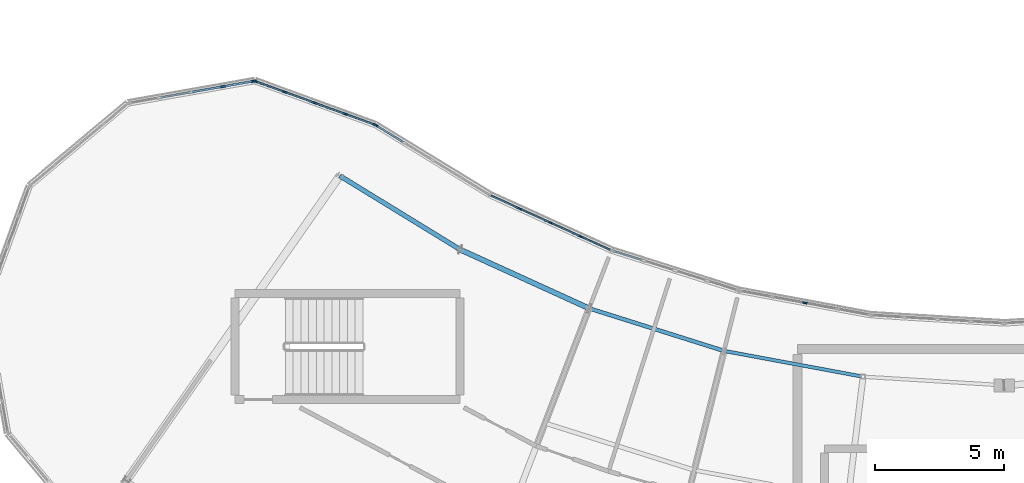
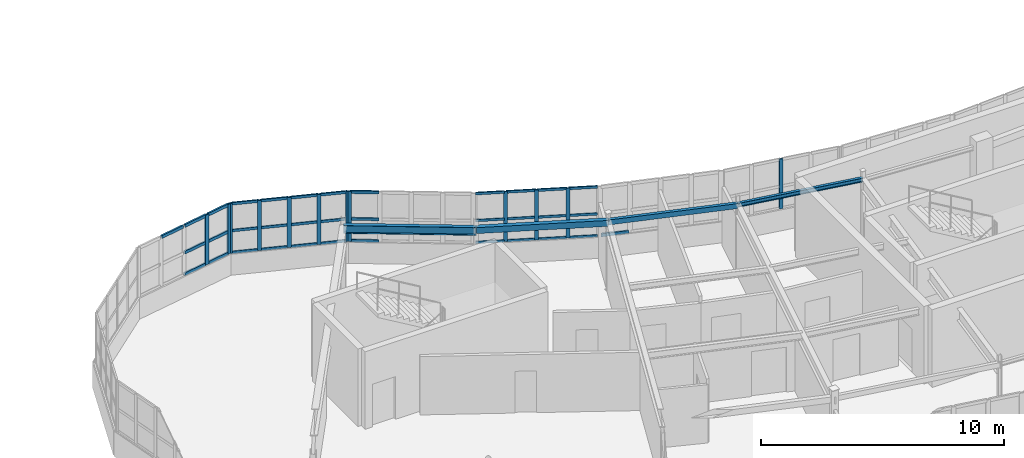
# One storey, part 17 of 65: 47 members, 4 beams, 6 elements without a shape of their own.
"""IFC4 building model written with IfcOpenShell, lengths in metres."""

from ifc_helpers import new_model, si_unit, direction, frame, origin, origin_2d, place, context, subcontext, project, spatial, rectangle, hollow_rectangle, i_section, extrude, material, layer, layer_set, material_profile, profile_set, type_object, element, aggregate, save


model = new_model("IFC4")

# Units and contexts
model_context = context("Model", 3, precision=1e-05, world=origin(), true_north=direction((0.0, 1.0)))
body_context = subcontext(model_context, "Body", "Model", "MODEL_VIEW")
ifc_project = project(units=[si_unit("LENGTHUNIT", "METRE"), si_unit("AREAUNIT", "SQUARE_METRE"), si_unit("VOLUMEUNIT", "CUBIC_METRE"), si_unit("PLANEANGLEUNIT", "RADIAN"), si_unit("MASSUNIT", "GRAM", prefix="KILO")], contexts=[model_context])

# Site, building, storey
site_placement = place(None, origin())
site = spatial("IfcSite", under=ifc_project, at=site_placement, CompositionType="ELEMENT")
building_placement = place(site_placement, origin())
building = spatial("IfcBuilding", under=site, at=building_placement, Name="Tarnwether General Hospital", CompositionType="ELEMENT")
storey_placement = place(building_placement, frame((0.0, 0.0, 22.199951171875)))
storey = spatial("IfcBuildingStorey", under=building, at=storey_placement, Name="L05", CompositionType="ELEMENT", Elevation=22.199951171875)

# Beams
ifc_material_1 = material(Name="Steel Grade 350 (350 MPa)", Category="steel")
ifc_material_profile_1 = material_profile(ifc_material_1, i_section(OverallWidth=0.177978515625, OverallDepth=0.403076171875, WebThickness=0.007568359375, FlangeThickness=0.010986328125, at=origin_2d()), Name="410UB53.7")
ifc_profile_set_1 = profile_set([ifc_material_profile_1], Name="Steel Grade 350 (350 MPa)")
beam_type_1 = type_object("IfcBeamType", Name="BM-SP2", PredefinedType="SPANDREL", material=ifc_profile_set_1)
beam_1_placement = place(storey_placement, frame((66.303955078125, 26.302001953125, 3.358642578125), z_axis=(0.85265897909, -0.522467860617, 0.0), x_axis=(0.522467860617, 0.85265897909, 0.0)))
element("IfcBeam", 1, at=beam_1_placement, inside=storey, type_object=beam_type_1, Name="Curved Ward SE Inner Spandrel BMG-L05-6630_2630-7097_2344-2171", PredefinedType="SPANDREL", context=body_context, shape_type="SweptSolid", body=[
    extrude(i_section(OverallWidth=0.177978515625, OverallDepth=0.403076171875, WebThickness=0.007568359375, FlangeThickness=0.010986328125, at=origin_2d()), origin(), (0.0, 0.0, 1.0), 5.469970703125),
])
ifc_material_2 = material(Name="Steel Grade C350L0 (350 MPa)", Category="steel")
ifc_material_profile_2 = material_profile(ifc_material_2, hollow_rectangle(XDim=0.199951171875, YDim=0.300048828125, WallThickness=0.012451171875, at=origin_2d()), Name="RHS300x200x12.5")
ifc_profile_set_2 = profile_set([ifc_material_profile_2], Name="Steel Grade C350L0 (350 MPa)")
beam_type_2 = type_object("IfcBeamType", Name="BM-SP3", PredefinedType="SPANDREL", material=ifc_profile_set_2)
beam_2_placement = place(storey_placement, frame((70.968017578125, 23.444091796875, 3.41015625), z_axis=(0.909968605358, -0.414677148228, 0.0), x_axis=(0.414677148228, 0.909968605358, 0.0)))
element("IfcBeam", 2, at=beam_2_placement, inside=storey, type_object=beam_type_2, Name="Curved Ward SE Inner Spandrel BMG-L05-7097_2344-7594_2118-2173", PredefinedType="SPANDREL", context=body_context, shape_type="SweptSolid", body=[
    extrude(hollow_rectangle(XDim=0.199951171875, YDim=0.300048828125, WallThickness=0.012451171875, at=origin_2d()), origin(), (0.0, 0.0, 1.0), 5.469482421875),
])
ifc_material_3 = material(Name="Steel Grade C350L0 (350 MPa)", Category="steel")
ifc_material_profile_3 = material_profile(ifc_material_3, hollow_rectangle(XDim=0.14990234375, YDim=0.25, WallThickness=0.010009765625, at=origin_2d()), Name="RHS250x150x10")
ifc_profile_set_3 = profile_set([ifc_material_profile_3], Name="Steel Grade C350L0 (350 MPa)")
beam_type_3 = type_object("IfcBeamType", Name="BM-SP4", PredefinedType="SPANDREL", material=ifc_profile_set_3)
beam_3_placement = place(storey_placement, frame((75.945068359375, 21.176025390625, 3.43505859375), z_axis=(0.953712084488, -0.300721232874, 0.0), x_axis=(0.300721232874, 0.953712084488, 0.0)))
element("IfcBeam", 3, at=beam_3_placement, inside=storey, type_object=beam_type_3, Name="Curved Ward SE Inner Spandrel BMG-L05-7594_2118-8116_1953-2175", PredefinedType="SPANDREL", context=body_context, shape_type="SweptSolid", body=[
    extrude(hollow_rectangle(XDim=0.14990234375, YDim=0.25, WallThickness=0.010009765625, at=origin_2d()), origin(), (0.0, 0.0, 1.0), 5.47021484375),
])
ifc_material_4 = material(Name="Steel Grade 350 (350 MPa)", Category="steel")
ifc_material_profile_4 = material_profile(ifc_material_4, i_section(OverallWidth=0.133056640625, OverallDepth=0.202880859375, WebThickness=0.005859375, FlangeThickness=0.0078125, at=origin_2d()), Name="200UB25.4")
ifc_profile_set_4 = profile_set([ifc_material_profile_4], Name="Steel Grade 350 (350 MPa)")
beam_type_4 = type_object("IfcBeamType", Name="BM-SP5", PredefinedType="SPANDREL", material=ifc_profile_set_4)
beam_4_placement = place(storey_placement, frame((81.162109375, 19.531005859375, 3.45849609375), z_axis=(0.983244096291, -0.18229384825, 0.0), x_axis=(0.18229384825, 0.983244096291, 0.0)))
element("IfcBeam", 4, at=beam_4_placement, inside=storey, type_object=beam_type_4, Name="Curved Ward SE Inner Spandrel BMG-L05-8116_1953-8654_1853-2179", PredefinedType="SPANDREL", context=body_context, shape_type="SweptSolid", body=[
    extrude(i_section(OverallWidth=0.133056640625, OverallDepth=0.202880859375, WebThickness=0.005859375, FlangeThickness=0.0078125, at=origin_2d()), origin(), (0.0, 0.0, 1.0), 5.469482421875),
])

# Curtain wall, members
ifc_material_5 = material(Name="Anodised aluminium", Category="aluminium")
ifc_layer = layer(ifc_material_5, 0.159912109375)
ifc_layer_set = layer_set([ifc_layer], Name="Anodised aluminium")
curtain_wall_type = type_object("IfcCurtainWallType", Name="CW-04", PredefinedType="NOTDEFINED", material=ifc_layer_set)
curtain_wall_1_placement = place(storey_placement, origin())
curtain_wall_1 = element("IfcCurtainWall", 5, at=curtain_wall_1_placement, inside=storey, type_object=curtain_wall_type, Name="Curtain Wall CWG-L05-721_256-0237", PredefinedType="NOTDEFINED")
ifc_material_6 = material(Name="Anodised aluminium", Category="aluminium")
ifc_material_profile_5 = material_profile(ifc_material_6, rectangle(XDim=0.06005859375, YDim=0.159912109375, at=origin_2d()), Name="ALU-MUL-60x160")
ifc_profile_set_5 = profile_set([ifc_material_profile_5], Name="Anodised aluminium")
member_type_1 = type_object("IfcMemberType", Name="CW-ML1", PredefinedType="MULLION", material=ifc_profile_set_5)
member_1_placement = place(storey_placement, frame((73.271728515625, 25.0263671875, 1.050048828125), z_axis=(0.0, 0.0, 1.0), x_axis=(0.41470501572, 0.90995590549, 0.0)))
member_1 = element("IfcMember", 6, at=member_1_placement, type_object=member_type_1, Name="CW-04 mullion 2", PredefinedType="MULLION", context=body_context, shape_type="SweptSolid", body=[
    extrude(rectangle(XDim=0.06005859375, YDim=0.159912109375, at=origin_2d()), origin(), (0.0, 0.0, 1.0), 2.510009765625),
])
member_2_placement = place(storey_placement, frame((74.449462890625, 24.489501953125, 1.050048828125), z_axis=(0.0, 0.0, 1.0), x_axis=(0.41470501572, 0.90995590549, 0.0)))
member_2 = element("IfcMember", 7, at=member_2_placement, type_object=member_type_1, Name="CW-04 mullion 3", PredefinedType="MULLION", context=body_context, shape_type="SweptSolid", body=[
    extrude(rectangle(XDim=0.06005859375, YDim=0.159912109375, at=origin_2d()), origin(), (0.0, 0.0, 1.0), 2.510009765625),
])
member_3_placement = place(storey_placement, frame((75.627197265625, 23.95263671875, 1.050048828125), z_axis=(0.0, 0.0, 1.0), x_axis=(0.41470501572, 0.90995590549, 0.0)))
member_3 = element("IfcMember", 8, at=member_3_placement, type_object=member_type_1, Name="CW-04 mullion 4", PredefinedType="MULLION", context=body_context, shape_type="SweptSolid", body=[
    extrude(rectangle(XDim=0.06005859375, YDim=0.159912109375, at=origin_2d()), origin(), (0.0, 0.0, 1.0), 2.510009765625),
])

# Curtain wall, member
curtain_wall_2_placement = place(storey_placement, origin())
curtain_wall_2 = element("IfcCurtainWall", 9, at=curtain_wall_2_placement, inside=storey, type_object=curtain_wall_type, Name="Curtain Wall CWG-L05-677_283-0238", PredefinedType="NOTDEFINED")
ifc_material_7 = material(Name="Anodised aluminium", Category="aluminium")
ifc_material_profile_6 = material_profile(ifc_material_7, rectangle(XDim=0.070068359375, YDim=0.179931640625, at=origin_2d()), Name="ALU-MUL-70x180")
ifc_profile_set_6 = profile_set([ifc_material_profile_6], Name="Anodised aluminium")
member_type_2 = type_object("IfcMemberType", Name="CW-ML2", PredefinedType="MULLION", material=ifc_profile_set_6)
member_4_placement = place(storey_placement, frame((67.7099609375, 28.249755859375, 1.050048828125), z_axis=(0.0, 0.0, 1.0), x_axis=(0.522512231483, 0.852631789198, 0.0)))
member_4 = element("IfcMember", 10, at=member_4_placement, type_object=member_type_2, Name="CW-04 mullion 1", PredefinedType="MULLION", context=body_context, shape_type="SweptSolid", body=[
    extrude(rectangle(XDim=0.070068359375, YDim=0.179931640625, at=origin_2d()), origin(), (0.0, 0.0, 1.0), 2.510009765625),
])

curtain_wall_3_placement = place(storey_placement, origin())
curtain_wall_3 = element("IfcCurtainWall", 11, at=curtain_wall_3_placement, inside=storey, type_object=curtain_wall_type, Name="Curtain Wall CWG-L05-817_219-0235", PredefinedType="NOTDEFINED")
ifc_material_8 = material(Name="Anodised aluminium", Category="aluminium")
ifc_material_profile_7 = material_profile(ifc_material_8, rectangle(XDim=0.06494140625, YDim=0.169921875, at=origin_2d()), Name="ALU-MUL-65x170")
ifc_profile_set_7 = profile_set([ifc_material_profile_7], Name="Anodised aluminium")
member_type_3 = type_object("IfcMemberType", Name="CW-ML3", PredefinedType="MULLION", material=ifc_profile_set_7)
member_5_placement = place(storey_placement, frame((84.2880859375, 21.387451171875, 1.050048828125), z_axis=(0.0, 0.0, 1.0), x_axis=(0.182165351666, 0.983267910924, 0.0)))
member_5 = element("IfcMember", 12, at=member_5_placement, type_object=member_type_3, Name="CW-04 mullion 3", PredefinedType="MULLION", context=body_context, shape_type="SweptSolid", body=[
    extrude(rectangle(XDim=0.06494140625, YDim=0.169921875, at=origin_2d()), origin(), (0.0, 0.0, 1.0), 2.510009765625),
])
aggregate(curtain_wall_3, [member_5])

# Curtain wall, members
curtain_wall_4_placement = place(storey_placement, origin())
curtain_wall_4 = element("IfcCurtainWall", 13, at=curtain_wall_4_placement, inside=storey, type_object=curtain_wall_type, Name="Curtain Wall CWG-L05-630_300-0239", PredefinedType="NOTDEFINED")
member_6_placement = place(storey_placement, frame((63.04150390625, 29.956787109375, 1.050048828125), z_axis=(0.0, 0.0, 1.0), x_axis=(0.342130850834, 0.939652319163, 0.0)))
member_6 = element("IfcMember", 14, at=member_6_placement, type_object=member_type_3, Name="CW-04 mullion 1", PredefinedType="MULLION", context=body_context, shape_type="SweptSolid", body=[
    extrude(rectangle(XDim=0.06494140625, YDim=0.169921875, at=origin_2d()), origin(), (0.0, 0.0, 1.0), 2.510009765625),
])
member_7_placement = place(storey_placement, frame((64.17822265625, 29.54296875, 1.050048828125), z_axis=(0.0, 0.0, 1.0), x_axis=(0.342130850834, 0.939652319163, 0.0)))
member_7 = element("IfcMember", 15, at=member_7_placement, type_object=member_type_3, Name="CW-04 mullion 2", PredefinedType="MULLION", context=body_context, shape_type="SweptSolid", body=[
    extrude(rectangle(XDim=0.06494140625, YDim=0.169921875, at=origin_2d()), origin(), (0.0, 0.0, 1.0), 2.510009765625),
])
member_8_placement = place(storey_placement, frame((65.345458984375, 29.117919921875, 1.050048828125), z_axis=(0.0, 0.0, 1.0), x_axis=(0.342130850834, 0.939652319163, 0.0)))
member_8 = element("IfcMember", 16, at=member_8_placement, type_object=member_type_3, Name="CW-04 mullion 3", PredefinedType="MULLION", context=body_context, shape_type="SweptSolid", body=[
    extrude(rectangle(XDim=0.06494140625, YDim=0.169921875, at=origin_2d()), origin(), (0.0, 0.0, 1.0), 2.510009765625),
])
member_9_placement = place(storey_placement, frame((66.5126953125, 28.693115234375, 1.050048828125), z_axis=(0.0, 0.0, 1.0), x_axis=(0.342130850834, 0.939652319163, 0.0)))
member_9 = element("IfcMember", 17, at=member_9_placement, type_object=member_type_3, Name="CW-04 mullion 4", PredefinedType="MULLION", context=body_context, shape_type="SweptSolid", body=[
    extrude(rectangle(XDim=0.06494140625, YDim=0.169921875, at=origin_2d()), origin(), (0.0, 0.0, 1.0), 2.510009765625),
])
member_10_placement = place(storey_placement, frame((67.6494140625, 28.279052734375, 1.050048828125), z_axis=(0.0, 0.0, 1.0), x_axis=(0.342130850834, 0.939652319163, 0.0)))
member_10 = element("IfcMember", 18, at=member_10_placement, type_object=member_type_3, Name="CW-04 mullion 5", PredefinedType="MULLION", context=body_context, shape_type="SweptSolid", body=[
    extrude(rectangle(XDim=0.06494140625, YDim=0.169921875, at=origin_2d()), origin(), (0.0, 0.0, 1.0), 2.510009765625),
])

curtain_wall_5_placement = place(storey_placement, origin())
curtain_wall_5 = element("IfcCurtainWall", 19, at=curtain_wall_5_placement, inside=storey, type_object=curtain_wall_type, Name="Curtain Wall CWG-L05-581_291-0240", PredefinedType="NOTDEFINED")
ifc_material_9 = material(Name="Anodised aluminium", Category="aluminium")
ifc_material_profile_8 = material_profile(ifc_material_9, rectangle(XDim=0.080078125, YDim=0.199951171875, at=origin_2d()), Name="ALU-MUL-80x200")
ifc_profile_set_8 = profile_set([ifc_material_profile_8], Name="Anodised aluminium")
member_type_4 = type_object("IfcMemberType", Name="CW-ML4", PredefinedType="MULLION", material=ifc_profile_set_8)
member_11_placement = place(storey_placement, frame((61.78759765625, 29.752197265625, 1.050048828125), z_axis=(0.0, 0.0, 1.0), x_axis=(-0.173659059054, 0.984805834268, 0.0)))
member_11 = element("IfcMember", 20, at=member_11_placement, type_object=member_type_4, Name="CW-04 mullion 4", PredefinedType="MULLION", context=body_context, shape_type="SweptSolid", body=[
    extrude(rectangle(XDim=0.080078125, YDim=0.199951171875, at=origin_2d()), origin(), (0.0, 0.0, 1.0), 2.510009765625),
])
member_12_placement = place(storey_placement, frame((62.9716796875, 29.9609375, 1.050048828125), z_axis=(0.0, 0.0, 1.0), x_axis=(-0.173659059054, 0.984805834268, 0.0)))
member_12 = element("IfcMember", 21, at=member_12_placement, type_object=member_type_4, Name="CW-04 mullion 5", PredefinedType="MULLION", context=body_context, shape_type="SweptSolid", body=[
    extrude(rectangle(XDim=0.080078125, YDim=0.199951171875, at=origin_2d()), origin(), (0.0, 0.0, 1.0), 2.510009765625),
])

# Member
ifc_material_10 = material(Name="Anodised aluminium", Category="aluminium")
ifc_material_profile_9 = material_profile(ifc_material_10, rectangle(XDim=0.06005859375, YDim=0.1201171875, at=origin_2d()), Name="ALU-TRN-60x120")
ifc_profile_set_9 = profile_set([ifc_material_profile_9], Name="Anodised aluminium")
member_type_5 = type_object("IfcMemberType", Name="CW-TR1", PredefinedType="USERDEFINED", material=ifc_profile_set_9)
member_13_placement = place(storey_placement, frame((72.148681640625, 25.5380859375, 1.080078125), z_axis=(0.90990766598, -0.414810847726, 0.0), x_axis=(0.414810847726, 0.90990766598, 0.0)))
member_13 = element("IfcMember", 22, at=member_13_placement, type_object=member_type_5, Name="CW-04 transom 1.1", ObjectType="TRANSOM", PredefinedType="USERDEFINED", context=body_context, shape_type="SweptSolid", body=[
    extrude(rectangle(XDim=0.06005859375, YDim=0.1201171875, at=origin_2d()), origin(), (0.0, 0.0, 1.0), 1.2041015625),
])

member_14_placement = place(storey_placement, frame((72.148681640625, 25.5380859375, 2.179443359375), z_axis=(0.90990766598, -0.414810847726, 0.0), x_axis=(0.414810847726, 0.90990766598, 0.0)))
member_14 = element("IfcMember", 23, at=member_14_placement, type_object=member_type_5, Name="CW-04 transom 1.2", ObjectType="TRANSOM", PredefinedType="USERDEFINED", context=body_context, shape_type="SweptSolid", body=[
    extrude(rectangle(XDim=0.06005859375, YDim=0.1201171875, at=origin_2d()), origin(), (0.0, 0.0, 1.0), 1.2041015625),
])

member_15_placement = place(storey_placement, frame((72.148681640625, 25.5380859375, 3.530029296875), z_axis=(0.90990766598, -0.414810847726, 0.0), x_axis=(0.414810847726, 0.90990766598, 0.0)))
member_15 = element("IfcMember", 24, at=member_15_placement, type_object=member_type_5, Name="CW-04 transom 1.3", ObjectType="TRANSOM", PredefinedType="USERDEFINED", context=body_context, shape_type="SweptSolid", body=[
    extrude(rectangle(XDim=0.06005859375, YDim=0.1201171875, at=origin_2d()), origin(), (0.0, 0.0, 1.0), 1.2041015625),
])

member_16_placement = place(storey_placement, frame((73.299072265625, 25.013916015625, 1.080078125), z_axis=(0.909912057704, -0.414801214132, 0.0), x_axis=(0.414801214132, 0.909912057704, 0.0)))
member_16 = element("IfcMember", 25, at=member_16_placement, type_object=member_type_5, Name="CW-04 transom 2.1", ObjectType="TRANSOM", PredefinedType="USERDEFINED", context=body_context, shape_type="SweptSolid", body=[
    extrude(rectangle(XDim=0.06005859375, YDim=0.1201171875, at=origin_2d()), origin(), (0.0, 0.0, 1.0), 1.234130859375),
])

member_17_placement = place(storey_placement, frame((73.299072265625, 25.013916015625, 2.179443359375), z_axis=(0.909912057704, -0.414801214132, 0.0), x_axis=(0.414801214132, 0.909912057704, 0.0)))
member_17 = element("IfcMember", 26, at=member_17_placement, type_object=member_type_5, Name="CW-04 transom 2.2", ObjectType="TRANSOM", PredefinedType="USERDEFINED", context=body_context, shape_type="SweptSolid", body=[
    extrude(rectangle(XDim=0.06005859375, YDim=0.1201171875, at=origin_2d()), origin(), (0.0, 0.0, 1.0), 1.234130859375),
])

member_18_placement = place(storey_placement, frame((73.299072265625, 25.013916015625, 3.530029296875), z_axis=(0.909912057704, -0.414801214132, 0.0), x_axis=(0.414801214132, 0.909912057704, 0.0)))
member_18 = element("IfcMember", 27, at=member_18_placement, type_object=member_type_5, Name="CW-04 transom 2.3", ObjectType="TRANSOM", PredefinedType="USERDEFINED", context=body_context, shape_type="SweptSolid", body=[
    extrude(rectangle(XDim=0.06005859375, YDim=0.1201171875, at=origin_2d()), origin(), (0.0, 0.0, 1.0), 1.234130859375),
])

member_19_placement = place(storey_placement, frame((74.476806640625, 24.47705078125, 1.080078125), z_axis=(0.909912057704, -0.414801214132, 0.0), x_axis=(0.414801214132, 0.909912057704, 0.0)))
member_19 = element("IfcMember", 28, at=member_19_placement, type_object=member_type_5, Name="CW-04 transom 3.1", ObjectType="TRANSOM", PredefinedType="USERDEFINED", context=body_context, shape_type="SweptSolid", body=[
    extrude(rectangle(XDim=0.06005859375, YDim=0.1201171875, at=origin_2d()), origin(), (0.0, 0.0, 1.0), 1.234130859375),
])

member_20_placement = place(storey_placement, frame((74.476806640625, 24.47705078125, 2.179443359375), z_axis=(0.909912057704, -0.414801214132, 0.0), x_axis=(0.414801214132, 0.909912057704, 0.0)))
member_20 = element("IfcMember", 29, at=member_20_placement, type_object=member_type_5, Name="CW-04 transom 3.2", ObjectType="TRANSOM", PredefinedType="USERDEFINED", context=body_context, shape_type="SweptSolid", body=[
    extrude(rectangle(XDim=0.06005859375, YDim=0.1201171875, at=origin_2d()), origin(), (0.0, 0.0, 1.0), 1.234130859375),
])

member_21_placement = place(storey_placement, frame((74.476806640625, 24.47705078125, 3.530029296875), z_axis=(0.909912057704, -0.414801214132, 0.0), x_axis=(0.414801214132, 0.909912057704, 0.0)))
member_21 = element("IfcMember", 30, at=member_21_placement, type_object=member_type_5, Name="CW-04 transom 3.3", ObjectType="TRANSOM", PredefinedType="USERDEFINED", context=body_context, shape_type="SweptSolid", body=[
    extrude(rectangle(XDim=0.06005859375, YDim=0.1201171875, at=origin_2d()), origin(), (0.0, 0.0, 1.0), 1.234130859375),
])

member_22_placement = place(storey_placement, frame((75.654541015625, 23.9404296875, 1.080078125), z_axis=(0.909942541807, -0.414734337389, 0.0), x_axis=(0.414734337389, 0.909942541807, 0.0)))
member_22 = element("IfcMember", 31, at=member_22_placement, type_object=member_type_5, Name="CW-04 transom 4.1", ObjectType="TRANSOM", PredefinedType="USERDEFINED", context=body_context, shape_type="SweptSolid", body=[
    extrude(rectangle(XDim=0.06005859375, YDim=0.1201171875, at=origin_2d()), origin(), (0.0, 0.0, 1.0), 1.204345703125),
])

member_23_placement = place(storey_placement, frame((75.654541015625, 23.9404296875, 2.179443359375), z_axis=(0.909942541807, -0.414734337389, 0.0), x_axis=(0.414734337389, 0.909942541807, 0.0)))
member_23 = element("IfcMember", 32, at=member_23_placement, type_object=member_type_5, Name="CW-04 transom 4.2", ObjectType="TRANSOM", PredefinedType="USERDEFINED", context=body_context, shape_type="SweptSolid", body=[
    extrude(rectangle(XDim=0.06005859375, YDim=0.1201171875, at=origin_2d()), origin(), (0.0, 0.0, 1.0), 1.204345703125),
])

member_24_placement = place(storey_placement, frame((75.654541015625, 23.9404296875, 3.530029296875), z_axis=(0.909942541807, -0.414734337389, 0.0), x_axis=(0.414734337389, 0.909942541807, 0.0)))
member_24 = element("IfcMember", 33, at=member_24_placement, type_object=member_type_5, Name="CW-04 transom 4.3", ObjectType="TRANSOM", PredefinedType="USERDEFINED", context=body_context, shape_type="SweptSolid", body=[
    extrude(rectangle(XDim=0.06005859375, YDim=0.1201171875, at=origin_2d()), origin(), (0.0, 0.0, 1.0), 1.204345703125),
])

aggregate(curtain_wall_1, [member_1, member_2, member_3, member_13, member_14, member_15, member_16, member_17, member_18, member_19, member_20, member_21, member_22, member_23, member_24])

ifc_material_11 = material(Name="Anodised aluminium", Category="aluminium")
ifc_material_profile_10 = material_profile(ifc_material_11, rectangle(XDim=0.070068359375, YDim=0.139892578125, at=origin_2d()), Name="ALU-TRN-70x140")
ifc_profile_set_10 = profile_set([ifc_material_profile_10], Name="Anodised aluminium")
member_type_6 = type_object("IfcMemberType", Name="CW-TR2", PredefinedType="USERDEFINED", material=ifc_profile_set_10)
member_25_placement = place(storey_placement, frame((67.73974609375, 28.2314453125, 1.0849609375), z_axis=(0.852636658785, -0.522504285242, 0.0), x_axis=(0.522504285242, 0.852636658785, 0.0)))
member_25 = element("IfcMember", 34, at=member_25_placement, type_object=member_type_6, Name="CW-04 transom 1.1", ObjectType="TRANSOM", PredefinedType="USERDEFINED", context=body_context, shape_type="SweptSolid", body=[
    extrude(rectangle(XDim=0.070068359375, YDim=0.139892578125, at=origin_2d()), origin(), (0.0, 0.0, 1.0), 1.189208984375),
])

member_26_placement = place(storey_placement, frame((67.73974609375, 28.2314453125, 2.179443359375), z_axis=(0.852636658785, -0.522504285242, 0.0), x_axis=(0.522504285242, 0.852636658785, 0.0)))
member_26 = element("IfcMember", 35, at=member_26_placement, type_object=member_type_6, Name="CW-04 transom 1.2", ObjectType="TRANSOM", PredefinedType="USERDEFINED", context=body_context, shape_type="SweptSolid", body=[
    extrude(rectangle(XDim=0.070068359375, YDim=0.139892578125, at=origin_2d()), origin(), (0.0, 0.0, 1.0), 1.189208984375),
])

member_27_placement = place(storey_placement, frame((67.73974609375, 28.2314453125, 3.525146484375), z_axis=(0.852636658785, -0.522504285242, 0.0), x_axis=(0.522504285242, 0.852636658785, 0.0)))
member_27 = element("IfcMember", 36, at=member_27_placement, type_object=member_type_6, Name="CW-04 transom 1.3", ObjectType="TRANSOM", PredefinedType="USERDEFINED", context=body_context, shape_type="SweptSolid", body=[
    extrude(rectangle(XDim=0.070068359375, YDim=0.139892578125, at=origin_2d()), origin(), (0.0, 0.0, 1.0), 1.189208984375),
])

aggregate(curtain_wall_2, [member_4, member_25, member_26, member_27])

ifc_material_12 = material(Name="Anodised aluminium", Category="aluminium")
ifc_material_profile_11 = material_profile(ifc_material_12, rectangle(XDim=0.06494140625, YDim=0.1298828125, at=origin_2d()), Name="ALU-TRN-65x130")
ifc_profile_set_11 = profile_set([ifc_material_profile_11], Name="Anodised aluminium")
member_type_7 = type_object("IfcMemberType", Name="CW-TR3", PredefinedType="USERDEFINED", material=ifc_profile_set_11)
member_28_placement = place(storey_placement, frame((63.072021484375, 29.94580078125, 1.08251953125), z_axis=(0.9396688237, -0.342085518206, 0.0), x_axis=(0.342085518206, 0.9396688237, 0.0)))
member_28 = element("IfcMember", 37, at=member_28_placement, type_object=member_type_7, Name="CW-04 transom 1.1", ObjectType="TRANSOM", PredefinedType="USERDEFINED", context=body_context, shape_type="SweptSolid", body=[
    extrude(rectangle(XDim=0.06494140625, YDim=0.1298828125, at=origin_2d()), origin(), (0.0, 0.0, 1.0), 1.144775390625),
])

member_29_placement = place(storey_placement, frame((63.072021484375, 29.94580078125, 2.179443359375), z_axis=(0.9396688237, -0.342085518206, 0.0), x_axis=(0.342085518206, 0.9396688237, 0.0)))
member_29 = element("IfcMember", 38, at=member_29_placement, type_object=member_type_7, Name="CW-04 transom 1.2", ObjectType="TRANSOM", PredefinedType="USERDEFINED", context=body_context, shape_type="SweptSolid", body=[
    extrude(rectangle(XDim=0.06494140625, YDim=0.1298828125, at=origin_2d()), origin(), (0.0, 0.0, 1.0), 1.144775390625),
])

member_30_placement = place(storey_placement, frame((63.072021484375, 29.94580078125, 3.527587890625), z_axis=(0.9396688237, -0.342085518206, 0.0), x_axis=(0.342085518206, 0.9396688237, 0.0)))
member_30 = element("IfcMember", 39, at=member_30_placement, type_object=member_type_7, Name="CW-04 transom 1.3", ObjectType="TRANSOM", PredefinedType="USERDEFINED", context=body_context, shape_type="SweptSolid", body=[
    extrude(rectangle(XDim=0.06494140625, YDim=0.1298828125, at=origin_2d()), origin(), (0.0, 0.0, 1.0), 1.144775390625),
])

member_31_placement = place(storey_placement, frame((64.208740234375, 29.531982421875, 1.08251953125), z_axis=(0.939635897103, -0.34217595017, 0.0), x_axis=(0.34217595017, 0.939635897103, 0.0)))
member_31 = element("IfcMember", 40, at=member_31_placement, type_object=member_type_7, Name="CW-04 transom 2.1", ObjectType="TRANSOM", PredefinedType="USERDEFINED", context=body_context, shape_type="SweptSolid", body=[
    extrude(rectangle(XDim=0.06494140625, YDim=0.1298828125, at=origin_2d()), origin(), (0.0, 0.0, 1.0), 1.17724609375),
])

member_32_placement = place(storey_placement, frame((64.208740234375, 29.531982421875, 2.179443359375), z_axis=(0.939635897103, -0.34217595017, 0.0), x_axis=(0.34217595017, 0.939635897103, 0.0)))
member_32 = element("IfcMember", 41, at=member_32_placement, type_object=member_type_7, Name="CW-04 transom 2.2", ObjectType="TRANSOM", PredefinedType="USERDEFINED", context=body_context, shape_type="SweptSolid", body=[
    extrude(rectangle(XDim=0.06494140625, YDim=0.1298828125, at=origin_2d()), origin(), (0.0, 0.0, 1.0), 1.17724609375),
])

member_33_placement = place(storey_placement, frame((64.208740234375, 29.531982421875, 3.527587890625), z_axis=(0.939635897103, -0.34217595017, 0.0), x_axis=(0.34217595017, 0.939635897103, 0.0)))
member_33 = element("IfcMember", 42, at=member_33_placement, type_object=member_type_7, Name="CW-04 transom 2.3", ObjectType="TRANSOM", PredefinedType="USERDEFINED", context=body_context, shape_type="SweptSolid", body=[
    extrude(rectangle(XDim=0.06494140625, YDim=0.1298828125, at=origin_2d()), origin(), (0.0, 0.0, 1.0), 1.17724609375),
])

member_34_placement = place(storey_placement, frame((65.3759765625, 29.10693359375, 1.08251953125), z_axis=(0.939635897103, -0.34217595017, 0.0), x_axis=(0.34217595017, 0.939635897103, 0.0)))
member_34 = element("IfcMember", 43, at=member_34_placement, type_object=member_type_7, Name="CW-04 transom 3.1", ObjectType="TRANSOM", PredefinedType="USERDEFINED", context=body_context, shape_type="SweptSolid", body=[
    extrude(rectangle(XDim=0.06494140625, YDim=0.1298828125, at=origin_2d()), origin(), (0.0, 0.0, 1.0), 1.17724609375),
])

member_35_placement = place(storey_placement, frame((65.3759765625, 29.10693359375, 2.179443359375), z_axis=(0.939635897103, -0.34217595017, 0.0), x_axis=(0.34217595017, 0.939635897103, 0.0)))
member_35 = element("IfcMember", 44, at=member_35_placement, type_object=member_type_7, Name="CW-04 transom 3.2", ObjectType="TRANSOM", PredefinedType="USERDEFINED", context=body_context, shape_type="SweptSolid", body=[
    extrude(rectangle(XDim=0.06494140625, YDim=0.1298828125, at=origin_2d()), origin(), (0.0, 0.0, 1.0), 1.17724609375),
])

member_36_placement = place(storey_placement, frame((65.3759765625, 29.10693359375, 3.527587890625), z_axis=(0.939635897103, -0.34217595017, 0.0), x_axis=(0.34217595017, 0.939635897103, 0.0)))
member_36 = element("IfcMember", 45, at=member_36_placement, type_object=member_type_7, Name="CW-04 transom 3.3", ObjectType="TRANSOM", PredefinedType="USERDEFINED", context=body_context, shape_type="SweptSolid", body=[
    extrude(rectangle(XDim=0.06494140625, YDim=0.1298828125, at=origin_2d()), origin(), (0.0, 0.0, 1.0), 1.17724609375),
])

member_37_placement = place(storey_placement, frame((66.543212890625, 28.681884765625, 1.08251953125), z_axis=(0.9396688237, -0.342085518206, 0.0), x_axis=(0.342085518206, 0.9396688237, 0.0)))
member_37 = element("IfcMember", 46, at=member_37_placement, type_object=member_type_7, Name="CW-04 transom 4.1", ObjectType="TRANSOM", PredefinedType="USERDEFINED", context=body_context, shape_type="SweptSolid", body=[
    extrude(rectangle(XDim=0.06494140625, YDim=0.1298828125, at=origin_2d()), origin(), (0.0, 0.0, 1.0), 1.144775390625),
])

member_38_placement = place(storey_placement, frame((66.543212890625, 28.681884765625, 2.179443359375), z_axis=(0.9396688237, -0.342085518206, 0.0), x_axis=(0.342085518206, 0.9396688237, 0.0)))
member_38 = element("IfcMember", 47, at=member_38_placement, type_object=member_type_7, Name="CW-04 transom 4.2", ObjectType="TRANSOM", PredefinedType="USERDEFINED", context=body_context, shape_type="SweptSolid", body=[
    extrude(rectangle(XDim=0.06494140625, YDim=0.1298828125, at=origin_2d()), origin(), (0.0, 0.0, 1.0), 1.144775390625),
])

member_39_placement = place(storey_placement, frame((66.543212890625, 28.681884765625, 3.527587890625), z_axis=(0.9396688237, -0.342085518206, 0.0), x_axis=(0.342085518206, 0.9396688237, 0.0)))
member_39 = element("IfcMember", 48, at=member_39_placement, type_object=member_type_7, Name="CW-04 transom 4.3", ObjectType="TRANSOM", PredefinedType="USERDEFINED", context=body_context, shape_type="SweptSolid", body=[
    extrude(rectangle(XDim=0.06494140625, YDim=0.1298828125, at=origin_2d()), origin(), (0.0, 0.0, 1.0), 1.144775390625),
])

aggregate(curtain_wall_4, [member_6, member_7, member_8, member_9, member_10, member_28, member_29, member_30, member_31, member_32, member_33, member_34, member_35, member_36, member_37, member_38, member_39])

# Curtain wall, member
curtain_wall_6_placement = place(storey_placement, origin())
curtain_wall_6 = element("IfcCurtainWall", 49, at=curtain_wall_6_placement, inside=storey, type_object=curtain_wall_type, Name="Curtain Wall CWG-L05-768_234-0236", PredefinedType="NOTDEFINED")
ifc_material_13 = material(Name="Anodised aluminium", Category="aluminium")
ifc_material_profile_12 = material_profile(ifc_material_13, rectangle(XDim=0.080078125, YDim=0.14990234375, at=origin_2d()), Name="ALU-TRN-80x150")
ifc_profile_set_12 = profile_set([ifc_material_profile_12], Name="Anodised aluminium")
member_type_8 = type_object("IfcMemberType", Name="CW-TR4", PredefinedType="USERDEFINED", material=ifc_profile_set_12)
member_40_placement = place(storey_placement, frame((76.88134765625, 23.391845703125, 1.090087890625), z_axis=(0.953752168784, -0.300594079351, 0.0), x_axis=(0.300594079351, 0.953752168784, 0.0)))
member_40 = element("IfcMember", 50, at=member_40_placement, type_object=member_type_8, Name="CW-04 transom 1.1", ObjectType="TRANSOM", PredefinedType="USERDEFINED", context=body_context, shape_type="SweptSolid", body=[
    extrude(rectangle(XDim=0.080078125, YDim=0.14990234375, at=origin_2d()), origin(), (0.0, 0.0, 1.0), 1.17431640625),
])
aggregate(curtain_wall_6, [member_40])

# Member
member_41_placement = place(storey_placement, frame((59.3798828125, 29.32763671875, 3.52001953125), z_axis=(0.984800468802, 0.173689483408, 0.0), x_axis=(-0.173689483408, 0.984800468802, 0.0)))
member_41 = element("IfcMember", 51, at=member_41_placement, type_object=member_type_8, Name="CW-04 transom 2.3", ObjectType="TRANSOM", PredefinedType="USERDEFINED", context=body_context, shape_type="SweptSolid", body=[
    extrude(rectangle(XDim=0.080078125, YDim=0.14990234375, at=origin_2d()), origin(), (0.0, 0.0, 1.0), 1.162353515625),
])

member_42_placement = place(storey_placement, frame((60.603271484375, 29.54345703125, 1.090087890625), z_axis=(0.984800468802, 0.173689483408, 0.0), x_axis=(-0.173689483408, 0.984800468802, 0.0)))
member_42 = element("IfcMember", 52, at=member_42_placement, type_object=member_type_8, Name="CW-04 transom 3.1", ObjectType="TRANSOM", PredefinedType="USERDEFINED", context=body_context, shape_type="SweptSolid", body=[
    extrude(rectangle(XDim=0.080078125, YDim=0.14990234375, at=origin_2d()), origin(), (0.0, 0.0, 1.0), 1.162353515625),
])

member_43_placement = place(storey_placement, frame((60.603271484375, 29.54345703125, 2.179443359375), z_axis=(0.984800468802, 0.173689483408, 0.0), x_axis=(-0.173689483408, 0.984800468802, 0.0)))
member_43 = element("IfcMember", 53, at=member_43_placement, type_object=member_type_8, Name="CW-04 transom 3.2", ObjectType="TRANSOM", PredefinedType="USERDEFINED", context=body_context, shape_type="SweptSolid", body=[
    extrude(rectangle(XDim=0.080078125, YDim=0.14990234375, at=origin_2d()), origin(), (0.0, 0.0, 1.0), 1.162353515625),
])

member_44_placement = place(storey_placement, frame((60.603271484375, 29.54345703125, 3.52001953125), z_axis=(0.984800468802, 0.173689483408, 0.0), x_axis=(-0.173689483408, 0.984800468802, 0.0)))
member_44 = element("IfcMember", 54, at=member_44_placement, type_object=member_type_8, Name="CW-04 transom 3.3", ObjectType="TRANSOM", PredefinedType="USERDEFINED", context=body_context, shape_type="SweptSolid", body=[
    extrude(rectangle(XDim=0.080078125, YDim=0.14990234375, at=origin_2d()), origin(), (0.0, 0.0, 1.0), 1.162353515625),
])

member_45_placement = place(storey_placement, frame((61.826904296875, 29.75927734375, 1.090087890625), z_axis=(0.984816391651, 0.173599178383, 0.0), x_axis=(-0.173599178383, 0.984816391651, 0.0)))
member_45 = element("IfcMember", 55, at=member_45_placement, type_object=member_type_8, Name="CW-04 transom 4.1", ObjectType="TRANSOM", PredefinedType="USERDEFINED", context=body_context, shape_type="SweptSolid", body=[
    extrude(rectangle(XDim=0.080078125, YDim=0.14990234375, at=origin_2d()), origin(), (0.0, 0.0, 1.0), 1.122314453125),
])

member_46_placement = place(storey_placement, frame((61.826904296875, 29.75927734375, 2.179443359375), z_axis=(0.984816391651, 0.173599178383, 0.0), x_axis=(-0.173599178383, 0.984816391651, 0.0)))
member_46 = element("IfcMember", 56, at=member_46_placement, type_object=member_type_8, Name="CW-04 transom 4.2", ObjectType="TRANSOM", PredefinedType="USERDEFINED", context=body_context, shape_type="SweptSolid", body=[
    extrude(rectangle(XDim=0.080078125, YDim=0.14990234375, at=origin_2d()), origin(), (0.0, 0.0, 1.0), 1.122314453125),
])

member_47_placement = place(storey_placement, frame((61.826904296875, 29.75927734375, 3.52001953125), z_axis=(0.984816391651, 0.173599178383, 0.0), x_axis=(-0.173599178383, 0.984816391651, 0.0)))
member_47 = element("IfcMember", 57, at=member_47_placement, type_object=member_type_8, Name="CW-04 transom 4.3", ObjectType="TRANSOM", PredefinedType="USERDEFINED", context=body_context, shape_type="SweptSolid", body=[
    extrude(rectangle(XDim=0.080078125, YDim=0.14990234375, at=origin_2d()), origin(), (0.0, 0.0, 1.0), 1.122314453125),
])

aggregate(curtain_wall_5, [member_11, member_12, member_41, member_42, member_43, member_44, member_45, member_46, member_47])

save(model, "model.ifc")
